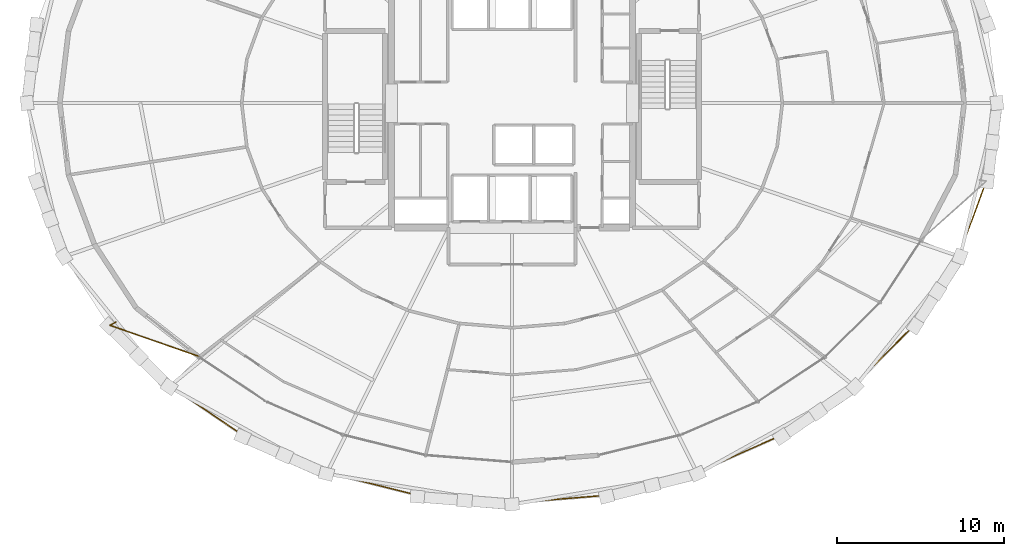
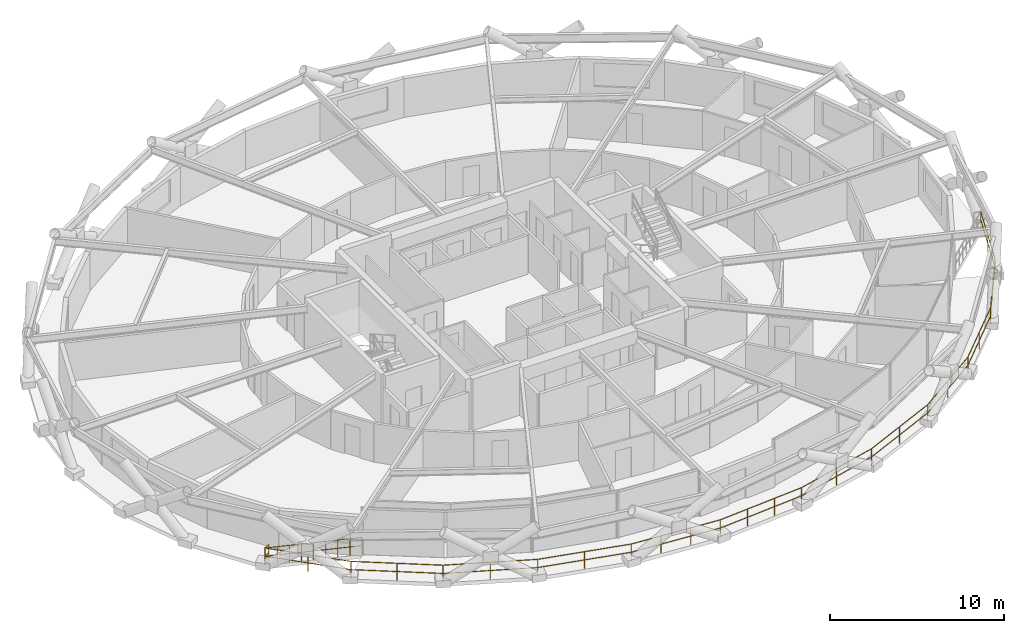
# One storey, part 18 of 19: 2 railings.
"""IFC4 building model written with IfcOpenShell, lengths in metres."""

import ifcopenshell
import ifcopenshell.guid

model = None  # the IFC model being written
_history = None  # IfcOwnerHistory: only IFC2X3 demands one
_inside = {}  # id of a spatial element -> (the spatial element, [elements in it])
_under = {}  # id of a project, library or spatial element -> (it, [spatial elements below it])
_declared = {}  # id of a project -> (the project, [libraries it declares])
_typed = {}  # id of a type object -> (the type object, [elements of that type])
_made_of = {}  # id of a material, layer set ... -> (it, [elements and type objects made of it])


def new_model(schema):
    """Start an empty IFC model of exactly this schema.

    Asked for "IFC4X3", IfcOpenShell would pick the latest addendum, in which some entities
    have other attributes; the version numbers below select the first issue.
    IFC2X3 requires an IfcOwnerHistory on every rooted entity: one is made here for all.
    """
    global model, _history
    if schema == "IFC4X3":
        model = ifcopenshell.file(schema_version=(4, 3, 0, 0))
    else:
        model = ifcopenshell.file(schema=schema)
    _inside.clear()
    _under.clear()
    _declared.clear()
    _typed.clear()
    _made_of.clear()
    _history = None
    if model.schema == "IFC2X3":
        org = make("IfcOrganization", Name="unknown")
        user = make(
            "IfcPersonAndOrganization",
            ThePerson=make("IfcPerson", FamilyName="unknown"),
            TheOrganization=org,
        )
        app = make(
            "IfcApplication",
            ApplicationDeveloper=org,
            Version="unknown",
            ApplicationFullName="unknown",
            ApplicationIdentifier="unknown",
        )
        _history = make(
            "IfcOwnerHistory",
            OwningUser=user,
            OwningApplication=app,
            ChangeAction="ADDED",
            CreationDate=0,
        )
    return model


def make(cls, **values):
    """One entity of the class cls with the attributes given. An attribute that is None is left unset."""
    return model.create_entity(
        cls, **{name: value for name, value in values.items() if value is not None}
    )


def rooted(cls, **values):
    """An entity with a GlobalId (a new one), such as an element, a storey or a relation."""
    return make(cls, GlobalId=ifcopenshell.guid.new(), OwnerHistory=_history, **values)


def si_unit(unit_type, name, prefix=None):
    """IfcSIUnit, for example si_unit("LENGTHUNIT", "METRE", prefix="MILLI")."""
    return make("IfcSIUnit", UnitType=unit_type, Prefix=prefix, Name=name)


def assignment(units):
    """IfcUnitAssignment: the units of a project."""
    return None if units is None else make("IfcUnitAssignment", Units=units)


def point(xyz):
    """IfcCartesianPoint."""
    return None if xyz is None else make("IfcCartesianPoint", Coordinates=xyz)


def direction(xyz):
    """IfcDirection."""
    return None if xyz is None else make("IfcDirection", DirectionRatios=xyz)


def frame(location, z_axis=None, x_axis=None):
    """IfcAxis2Placement3D, a coordinate frame: its origin and axes. An axis left out is left unset."""
    return make(
        "IfcAxis2Placement3D",
        Location=point(location),
        Axis=direction(z_axis),
        RefDirection=direction(x_axis),
    )


def frame_2d(location, x_axis=None):
    """IfcAxis2Placement2D, a coordinate frame in the plane: its origin and x axis."""
    return make(
        "IfcAxis2Placement2D", Location=point(location), RefDirection=direction(x_axis)
    )


def origin():
    """The frame at (0, 0, 0) with its axes left unset."""
    return frame((0.0, 0.0, 0.0))


def origin_2d():
    """The frame at (0, 0) in the plane with its x axis left unset."""
    return frame_2d((0.0, 0.0))


def place(relative_to, where):
    """IfcLocalPlacement: puts the frame where relative to a parent placement (None: the world)."""
    return make(
        "IfcLocalPlacement", PlacementRelTo=relative_to, RelativePlacement=where
    )


def context(
    kind, dimensions, precision=None, world=None, true_north=None, identifier=None
):
    """IfcGeometricRepresentationContext, for example the 3D "Model" context."""
    return make(
        "IfcGeometricRepresentationContext",
        ContextIdentifier=identifier,
        ContextType=kind,
        CoordinateSpaceDimension=dimensions,
        Precision=precision,
        WorldCoordinateSystem=world,
        TrueNorth=true_north,
    )


def subcontext(parent, identifier, kind, view, scale=None):
    """IfcGeometricRepresentationSubContext, for example "Body" below "Model"."""
    return make(
        "IfcGeometricRepresentationSubContext",
        ContextIdentifier=identifier,
        ContextType=kind,
        ParentContext=parent,
        TargetScale=scale,
        TargetView=view,
    )


def project(units=None, contexts=None):
    """IfcProject with its units and contexts."""
    return rooted(
        "IfcProject",
        Name="project",
        RepresentationContexts=contexts,
        UnitsInContext=assignment(units),
    )


def spatial(cls, under=None, at=None, **own):
    """A site, building, storey or space (cls), placed at a placement, below another one or the project."""
    s = rooted(cls, ObjectPlacement=at, **own)
    if under is not None:
        _under.setdefault(under.id(), (under, []))[1].append(s)
    return s


def profile(cls, at=None, kind="AREA", **sizes):
    """A parametric profile (cls). Its sizes go by their IFC names, for example OverallWidth=200.0."""
    return make(cls, ProfileType=kind, Position=at, **sizes)


def circle(**sizes):
    """IfcCircleProfileDef."""
    return profile("IfcCircleProfileDef", **sizes)


def extrude(swept, where, along, depth):
    """IfcExtrudedAreaSolid: the profile swept, set in the frame where, extruded along a direction by depth."""
    return make(
        "IfcExtrudedAreaSolid",
        SweptArea=swept,
        Position=where,
        ExtrudedDirection=direction(along),
        Depth=depth,
    )


def shape(context_of_items, identifier, shape_type, items):
    """IfcShapeRepresentation: the items that make up one representation, for example the "Body"."""
    return make(
        "IfcShapeRepresentation",
        ContextOfItems=context_of_items,
        RepresentationIdentifier=identifier,
        RepresentationType=shape_type,
        Items=items,
    )


def material(Name=None, Category=None):
    """IfcMaterial."""
    return make("IfcMaterial", Name=Name, Category=Category)


def made_of(thing, what):
    """Note that an element or type object is made of a material, layer set ...; save() writes the relation."""
    if what is not None:
        _made_of.setdefault(what.id(), (what, []))[1].append(thing)
    return thing


def type_object(cls, material=None, **own):
    """A type object (cls), such as IfcWallType, which elements share."""
    return made_of(rooted(cls, **own), material)


def element(
    cls,
    number,
    at=None,
    inside=None,
    cuts=None,
    type_object=None,
    material=None,
    context=None,
    identifier="Body",
    shape_type=None,
    held_by="IfcProductDefinitionShape",
    body=None,
    shapes=None,
    **own,
):
    """One element of the class cls, such as IfcWall. Its Tag is "e" and its number.

    at: its placement. inside: the storey or other place that contains it. cuts: it is an
    opening in that element (IfcRelVoidsElement). A single representation is given by context,
    identifier, shape_type and body (its items); several are given by shapes. held_by: the class
    of the entity that holds the representations. save() writes the other relations.
    """
    e = rooted(cls, Tag="e%d" % number, ObjectPlacement=at, **own)
    if body is not None:
        shapes = [shape(context, identifier, shape_type, body)]
    if shapes is not None:
        e.Representation = make(held_by, Representations=shapes)
    if inside is not None:
        _inside.setdefault(inside.id(), (inside, []))[1].append(e)
    if cuts is not None:
        rooted(
            "IfcRelVoidsElement", RelatingBuildingElement=cuts, RelatedOpeningElement=e
        )
    if type_object is not None:
        _typed.setdefault(type_object.id(), (type_object, []))[1].append(e)
    return made_of(e, material)


def aggregate(whole, parts):
    """IfcRelAggregates: a whole, such as a stair, and the parts it consists of."""
    return rooted("IfcRelAggregates", RelatingObject=whole, RelatedObjects=parts)


def save(model, path):
    """Write the relations noted so far, then the file.

    IfcRelAggregates (storeys below a building ...), IfcRelContainedInSpatialStructure (elements
    in a storey), IfcRelDefinesByType, IfcRelAssociatesMaterial and IfcRelDeclares: one each for
    every whole, place, type object, material and project.
    """
    for whole, parts in _under.values():
        aggregate(whole, parts)
    for where, things in _inside.values():
        rooted(
            "IfcRelContainedInSpatialStructure",
            RelatedElements=things,
            RelatingStructure=where,
        )
    for kind, things in _typed.values():
        rooted("IfcRelDefinesByType", RelatedObjects=things, RelatingType=kind)
    for what, things in _made_of.values():
        rooted("IfcRelAssociatesMaterial", RelatedObjects=things, RelatingMaterial=what)
    for by, libraries in _declared.values():
        rooted("IfcRelDeclares", RelatingContext=by, RelatedDefinitions=libraries)
    model.write(path)


model = new_model("IFC4")

# Units and contexts
model_context = context("Model", 3, precision=1e-05, world=origin(), true_north=direction((0.0, 1.0)))
body_context = subcontext(model_context, "Body", "Model", "MODEL_VIEW")
ifc_project = project(units=[si_unit("LENGTHUNIT", "METRE"), si_unit("AREAUNIT", "SQUARE_METRE"), si_unit("VOLUMEUNIT", "CUBIC_METRE"), si_unit("PLANEANGLEUNIT", "RADIAN"), si_unit("MASSUNIT", "GRAM", prefix="KILO")], contexts=[model_context])

# Site, building, storey
site_placement = place(None, origin())
site = spatial("IfcSite", under=ifc_project, at=site_placement, CompositionType="ELEMENT")
building_placement = place(site_placement, origin())
building = spatial("IfcBuilding", under=site, at=building_placement, Name="Veldorina Hangang Commons", CompositionType="ELEMENT")
storey_placement = place(building_placement, frame((0.0, 0.0, 77.199951171875)))
storey = spatial("IfcBuildingStorey", under=building, at=storey_placement, Name="L19", CompositionType="ELEMENT", Elevation=77.199951171875)

# Railings
ifc_material = material(Name="Glass Laminated Safety Balustrade", Category="glass")
railing_type = type_object("IfcRailingType", Name="RL-BAL-LOGGIA", PredefinedType="BALUSTRADE", material=ifc_material)
railing_1_placement = place(storey_placement, frame((8.332763671875, 10.913330078125, 0.0)))
element("IfcRailing", 1, at=railing_1_placement, inside=storey, type_object=railing_type, Name="L19 sky-garden loggia end balustrade A", PredefinedType="BALUSTRADE", context=body_context, shape_type="SweptSolid", body=[
    extrude(circle(Radius=0.02392578125, at=origin_2d()), frame((0.0, 0.0, 1.17578125), z_axis=(-0.87530627808, -0.483568939816, 0.0), x_axis=(0.483568939816, -0.87530627808, 0.0)), (0.0, 0.0, 1.0), 0.420166015625),
    extrude(circle(Radius=0.02392578125, at=origin_2d()), frame((0.0, 0.0, 0.60009765625), z_axis=(-0.87530627808, -0.483568939816, 0.0), x_axis=(0.483568939816, -0.87530627808, 0.0)), (0.0, 0.0, 1.0), 0.420166015625),
    extrude(circle(Radius=0.02392578125, at=origin_2d()), frame((-0.36767578125, -0.203125, 1.17578125), z_axis=(0.944137515807, -0.329551742896, 0.0), x_axis=(0.329551742896, 0.944137515807, 0.0)), (0.0, 0.0, 1.0), 5.6650390625),
    extrude(circle(Radius=0.02392578125, at=origin_2d()), frame((-0.36767578125, -0.203125, 0.60009765625), z_axis=(0.944137515807, -0.329551742896, 0.0), x_axis=(0.329551742896, 0.944137515807, 0.0)), (0.0, 0.0, 1.0), 5.6650390625),
    extrude(circle(Radius=0.02099609375, at=origin_2d()), origin(), (0.0, 0.0, 1.0), 1.15185546875),
    extrude(circle(Radius=0.02099609375, at=origin_2d()), frame((-0.36767578125, -0.203125, 0.0)), (0.0, 0.0, 1.0), 1.15185546875),
    extrude(circle(Radius=0.02099609375, at=origin_2d()), frame((0.30078125, -0.4365234375, 0.0)), (0.0, 0.0, 1.0), 1.15185546875),
    extrude(circle(Radius=0.02099609375, at=origin_2d()), frame((0.969482421875, -0.669921875, 0.0)), (0.0, 0.0, 1.0), 1.15185546875),
    extrude(circle(Radius=0.02099609375, at=origin_2d()), frame((1.63818359375, -0.9033203125, 0.0)), (0.0, 0.0, 1.0), 1.15185546875),
    extrude(circle(Radius=0.02099609375, at=origin_2d()), frame((2.306640625, -1.13671875, 0.0)), (0.0, 0.0, 1.0), 1.15185546875),
    extrude(circle(Radius=0.02099609375, at=origin_2d()), frame((2.97509765625, -1.369873046875, 0.0)), (0.0, 0.0, 1.0), 1.15185546875),
    extrude(circle(Radius=0.02099609375, at=origin_2d()), frame((3.643798828125, -1.603271484375, 0.0)), (0.0, 0.0, 1.0), 1.15185546875),
    extrude(circle(Radius=0.02099609375, at=origin_2d()), frame((4.3125, -1.836669921875, 0.0)), (0.0, 0.0, 1.0), 1.15185546875),
    extrude(circle(Radius=0.02099609375, at=origin_2d()), frame((4.98095703125, -2.070068359375, 0.0)), (0.0, 0.0, 1.0), 1.15185546875),
])
railing_2_placement = place(storey_placement, frame((7.965087890625, 10.710205078125, 0.0)))
element("IfcRailing", 2, at=railing_2_placement, inside=storey, type_object=railing_type, Name="L19 sky-garden loggia outer balustrade", PredefinedType="BALUSTRADE", context=body_context, shape_type="SweptSolid", body=[
    extrude(circle(Radius=0.02392578125, at=origin_2d()), frame((0.0, 0.0, 1.17578125), z_axis=(0.704567822608, -0.709636655864, 0.0), x_axis=(0.709636655864, 0.704567822608, 0.0)), (0.0, 0.0, 1.0), 5.10546875),
    extrude(circle(Radius=0.02392578125, at=origin_2d()), frame((0.0, 0.0, 0.60009765625), z_axis=(0.704567822608, -0.709636655864, 0.0), x_axis=(0.709636655864, 0.704567822608, 0.0)), (0.0, 0.0, 1.0), 5.10546875),
    extrude(circle(Radius=0.02392578125, at=origin_2d()), frame((3.59716796875, -3.623046875, 1.17578125), z_axis=(0.827561458739, -0.561375125927, 0.0), x_axis=(0.561375125927, 0.827561458739, 0.0)), (0.0, 0.0, 1.0), 5.294921875),
    extrude(circle(Radius=0.02392578125, at=origin_2d()), frame((3.59716796875, -3.623046875, 0.60009765625), z_axis=(0.827561458739, -0.561375125927, 0.0), x_axis=(0.561375125927, 0.827561458739, 0.0)), (0.0, 0.0, 1.0), 5.294921875),
    extrude(circle(Radius=0.02392578125, at=origin_2d()), frame((7.97900390625, -6.595458984375, 1.17578125), z_axis=(0.914717719664, -0.40409342154, 0.0), x_axis=(0.40409342154, 0.914717719664, 0.0)), (0.0, 0.0, 1.0), 5.46337890625),
    extrude(circle(Radius=0.02392578125, at=origin_2d()), frame((7.97900390625, -6.595458984375, 0.60009765625), z_axis=(0.914717719664, -0.40409342154, 0.0), x_axis=(0.40409342154, 0.914717719664, 0.0)), (0.0, 0.0, 1.0), 5.46337890625),
    extrude(circle(Radius=0.02392578125, at=origin_2d()), frame((12.9765625, -8.80322265625, 1.17578125), z_axis=(0.969990703388, -0.243142006533, 0.0), x_axis=(0.243142006533, 0.969990703388, 0.0)), (0.0, 0.0, 1.0), 5.5888671875),
    extrude(circle(Radius=0.02392578125, at=origin_2d()), frame((12.9765625, -8.80322265625, 0.60009765625), z_axis=(0.969990703388, -0.243142006533, 0.0), x_axis=(0.243142006533, 0.969990703388, 0.0)), (0.0, 0.0, 1.0), 5.5888671875),
    extrude(circle(Radius=0.02392578125, at=origin_2d()), frame((18.397705078125, -10.162109375, 1.17578125), z_axis=(0.996705229168, -0.081109100286, 0.0), x_axis=(0.081109100286, 0.996705229168, 0.0)), (0.0, 0.0, 1.0), 5.65576171875),
    extrude(circle(Radius=0.02392578125, at=origin_2d()), frame((18.397705078125, -10.162109375, 0.60009765625), z_axis=(0.996705229168, -0.081109100286, 0.0), x_axis=(0.081109100286, 0.996705229168, 0.0)), (0.0, 0.0, 1.0), 5.65576171875),
    extrude(circle(Radius=0.02392578125, at=origin_2d()), frame((24.034912109375, -10.620849609375, 1.17578125), z_axis=(0.996705229168, 0.081109100286, 0.0), x_axis=(-0.081109100286, 0.996705229168, 0.0)), (0.0, 0.0, 1.0), 5.65576171875),
    extrude(circle(Radius=0.02392578125, at=origin_2d()), frame((24.034912109375, -10.620849609375, 0.60009765625), z_axis=(0.996705229168, 0.081109100286, 0.0), x_axis=(-0.081109100286, 0.996705229168, 0.0)), (0.0, 0.0, 1.0), 5.65576171875),
    extrude(circle(Radius=0.02392578125, at=origin_2d()), frame((29.672119140625, -10.162109375, 1.17578125), z_axis=(0.969990703388, 0.243142006533, 0.0), x_axis=(-0.243142006533, 0.969990703388, 0.0)), (0.0, 0.0, 1.0), 5.5888671875),
    extrude(circle(Radius=0.02392578125, at=origin_2d()), frame((29.672119140625, -10.162109375, 0.60009765625), z_axis=(0.969990703388, 0.243142006533, 0.0), x_axis=(-0.243142006533, 0.969990703388, 0.0)), (0.0, 0.0, 1.0), 5.5888671875),
    extrude(circle(Radius=0.02392578125, at=origin_2d()), frame((35.09326171875, -8.80322265625, 1.17578125), z_axis=(0.914717719664, 0.40409342154, 0.0), x_axis=(-0.40409342154, 0.914717719664, 0.0)), (0.0, 0.0, 1.0), 5.46337890625),
    extrude(circle(Radius=0.02392578125, at=origin_2d()), frame((35.09326171875, -8.80322265625, 0.60009765625), z_axis=(0.914717719664, 0.40409342154, 0.0), x_axis=(-0.40409342154, 0.914717719664, 0.0)), (0.0, 0.0, 1.0), 5.46337890625),
    extrude(circle(Radius=0.02392578125, at=origin_2d()), frame((40.0908203125, -6.595458984375, 1.17578125), z_axis=(0.827561458739, 0.561375125927, 0.0), x_axis=(-0.561375125927, 0.827561458739, 0.0)), (0.0, 0.0, 1.0), 5.294921875),
    extrude(circle(Radius=0.02392578125, at=origin_2d()), frame((40.0908203125, -6.595458984375, 0.60009765625), z_axis=(0.827561458739, 0.561375125927, 0.0), x_axis=(-0.561375125927, 0.827561458739, 0.0)), (0.0, 0.0, 1.0), 5.294921875),
    extrude(circle(Radius=0.02392578125, at=origin_2d()), frame((44.47265625, -3.623046875, 1.17578125), z_axis=(0.704567822608, 0.709636655864, 0.0), x_axis=(-0.709636655864, 0.704567822608, 0.0)), (0.0, 0.0, 1.0), 5.10546875),
    extrude(circle(Radius=0.02392578125, at=origin_2d()), frame((44.47265625, -3.623046875, 0.60009765625), z_axis=(0.704567822608, 0.709636655864, 0.0), x_axis=(-0.709636655864, 0.704567822608, 0.0)), (0.0, 0.0, 1.0), 5.10546875),
    extrude(circle(Radius=0.02392578125, at=origin_2d()), frame((48.06982421875, 0.0, 1.17578125), z_axis=(0.542893499555, 0.839801552833, 0.0), x_axis=(-0.839801552833, 0.542893499555, 0.0)), (0.0, 0.0, 1.0), 4.923828125),
    extrude(circle(Radius=0.02392578125, at=origin_2d()), frame((48.06982421875, 0.0, 0.60009765625), z_axis=(0.542893499555, 0.839801552833, 0.0), x_axis=(-0.839801552833, 0.542893499555, 0.0)), (0.0, 0.0, 1.0), 4.923828125),
    extrude(circle(Radius=0.02392578125, at=origin_2d()), frame((50.742919921875, 4.135009765625, 1.17578125), z_axis=(0.344493249556, 0.938788794677, 0.0), x_axis=(-0.938788794677, 0.344493249556, 0.0)), (0.0, 0.0, 1.0), 4.780029296875),
    extrude(circle(Radius=0.02392578125, at=origin_2d()), frame((50.742919921875, 4.135009765625, 0.60009765625), z_axis=(0.344493249556, 0.938788794677, 0.0), x_axis=(-0.938788794677, 0.344493249556, 0.0)), (0.0, 0.0, 1.0), 4.780029296875),
    extrude(circle(Radius=0.02099609375, at=origin_2d()), origin(), (0.0, 0.0, 1.0), 1.15185546875),
    extrude(circle(Radius=0.02099609375, at=origin_2d()), frame((1.798583984375, -1.8115234375, 0.0)), (0.0, 0.0, 1.0), 1.15185546875),
    extrude(circle(Radius=0.02099609375, at=origin_2d()), frame((3.59716796875, -3.623046875, 0.0)), (0.0, 0.0, 1.0), 1.15185546875),
    extrude(circle(Radius=0.02099609375, at=origin_2d()), frame((5.7880859375, -5.109375, 0.0)), (0.0, 0.0, 1.0), 1.15185546875),
    extrude(circle(Radius=0.02099609375, at=origin_2d()), frame((7.97900390625, -6.595458984375, 0.0)), (0.0, 0.0, 1.0), 1.15185546875),
    extrude(circle(Radius=0.02099609375, at=origin_2d()), frame((10.477783203125, -7.69921875, 0.0)), (0.0, 0.0, 1.0), 1.15185546875),
    extrude(circle(Radius=0.02099609375, at=origin_2d()), frame((12.9765625, -8.80322265625, 0.0)), (0.0, 0.0, 1.0), 1.15185546875),
    extrude(circle(Radius=0.02099609375, at=origin_2d()), frame((15.68701171875, -9.482666015625, 0.0)), (0.0, 0.0, 1.0), 1.15185546875),
    extrude(circle(Radius=0.02099609375, at=origin_2d()), frame((18.397705078125, -10.162109375, 0.0)), (0.0, 0.0, 1.0), 1.15185546875),
    extrude(circle(Radius=0.02099609375, at=origin_2d()), frame((20.27685546875, -10.31494140625, 0.0)), (0.0, 0.0, 1.0), 1.15185546875),
    extrude(circle(Radius=0.02099609375, at=origin_2d()), frame((22.15576171875, -10.468017578125, 0.0)), (0.0, 0.0, 1.0), 1.15185546875),
    extrude(circle(Radius=0.02099609375, at=origin_2d()), frame((24.034912109375, -10.620849609375, 0.0)), (0.0, 0.0, 1.0), 1.15185546875),
    extrude(circle(Radius=0.02099609375, at=origin_2d()), frame((25.9140625, -10.468017578125, 0.0)), (0.0, 0.0, 1.0), 1.15185546875),
    extrude(circle(Radius=0.02099609375, at=origin_2d()), frame((27.79296875, -10.31494140625, 0.0)), (0.0, 0.0, 1.0), 1.15185546875),
    extrude(circle(Radius=0.02099609375, at=origin_2d()), frame((29.672119140625, -10.162109375, 0.0)), (0.0, 0.0, 1.0), 1.15185546875),
    extrude(circle(Radius=0.02099609375, at=origin_2d()), frame((32.3828125, -9.482666015625, 0.0)), (0.0, 0.0, 1.0), 1.15185546875),
    extrude(circle(Radius=0.02099609375, at=origin_2d()), frame((35.09326171875, -8.80322265625, 0.0)), (0.0, 0.0, 1.0), 1.15185546875),
    extrude(circle(Radius=0.02099609375, at=origin_2d()), frame((37.592041015625, -7.69921875, 0.0)), (0.0, 0.0, 1.0), 1.15185546875),
    extrude(circle(Radius=0.02099609375, at=origin_2d()), frame((40.0908203125, -6.595458984375, 0.0)), (0.0, 0.0, 1.0), 1.15185546875),
    extrude(circle(Radius=0.02099609375, at=origin_2d()), frame((42.28173828125, -5.109375, 0.0)), (0.0, 0.0, 1.0), 1.15185546875),
    extrude(circle(Radius=0.02099609375, at=origin_2d()), frame((44.47265625, -3.623046875, 0.0)), (0.0, 0.0, 1.0), 1.15185546875),
    extrude(circle(Radius=0.02099609375, at=origin_2d()), frame((46.271240234375, -1.8115234375, 0.0)), (0.0, 0.0, 1.0), 1.15185546875),
    extrude(circle(Radius=0.02099609375, at=origin_2d()), frame((48.06982421875, 0.0, 0.0)), (0.0, 0.0, 1.0), 1.15185546875),
    extrude(circle(Radius=0.02099609375, at=origin_2d()), frame((49.40625, 2.0673828125, 0.0)), (0.0, 0.0, 1.0), 1.15185546875),
    extrude(circle(Radius=0.02099609375, at=origin_2d()), frame((50.742919921875, 4.135009765625, 0.0)), (0.0, 0.0, 1.0), 1.15185546875),
    extrude(circle(Radius=0.02099609375, at=origin_2d()), frame((51.56640625, 6.37890625, 0.0)), (0.0, 0.0, 1.0), 1.15185546875),
    extrude(circle(Radius=0.02099609375, at=origin_2d()), frame((52.3896484375, 8.62255859375, 0.0)), (0.0, 0.0, 1.0), 1.15185546875),
])

save(model, "model.ifc")
